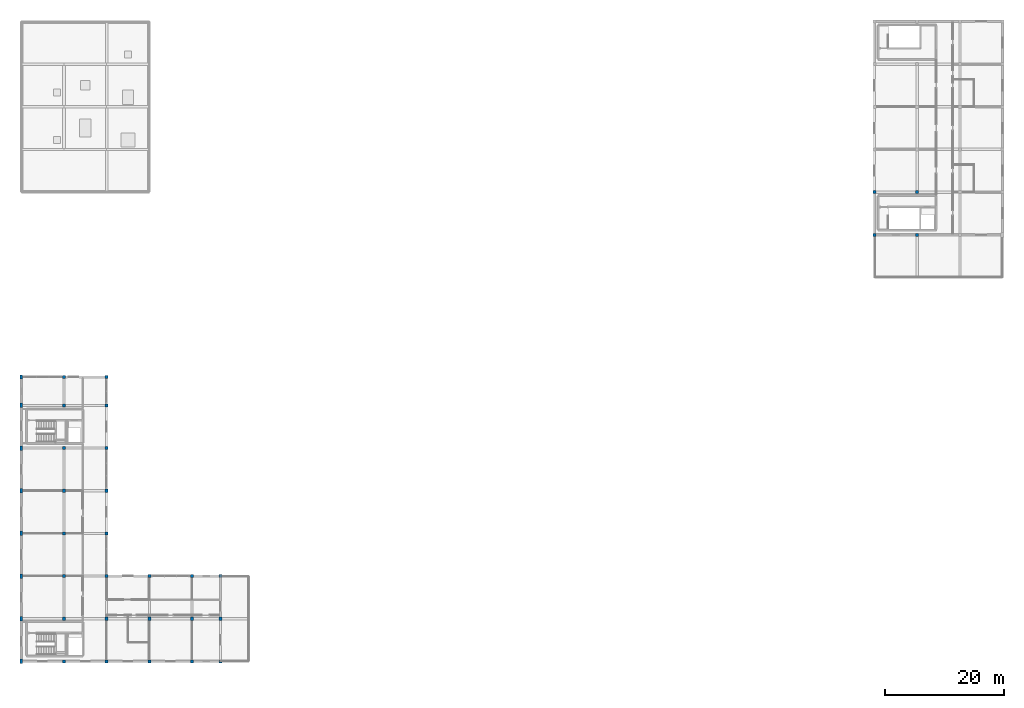
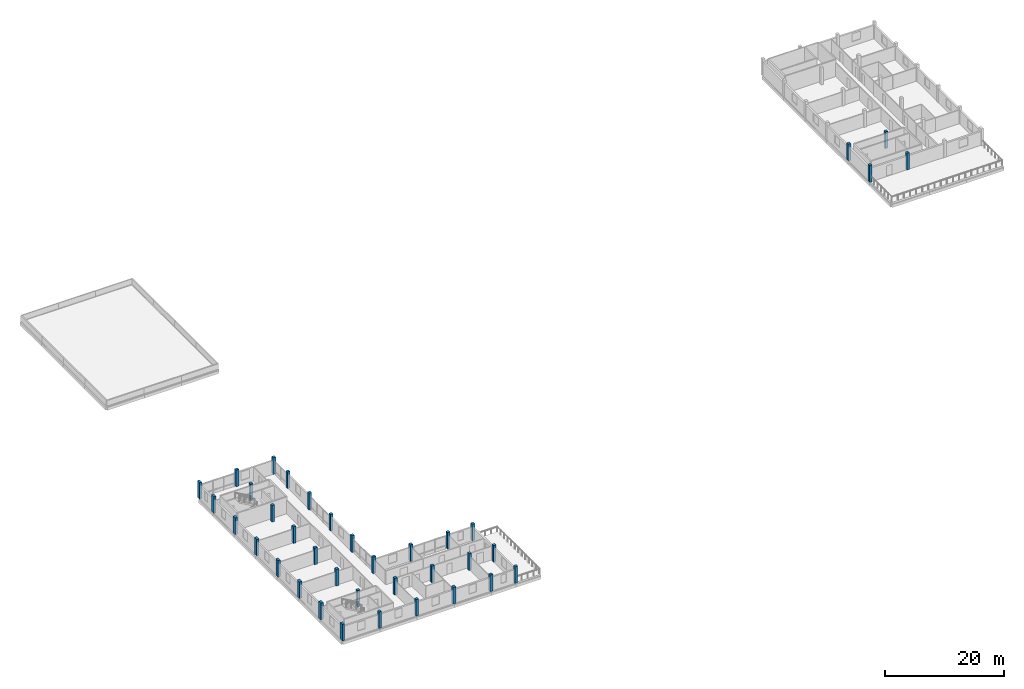
# One storey, part 1 of 26: 37 columns.
"""IFC4 building model written with IfcOpenShell, lengths in metres."""

from ifc_helpers import new_model, si_unit, direction, frame, origin, origin_2d, place, context, subcontext, project, spatial, rectangle, extrude, material, material_profile, profile_set, type_object, element, save


model = new_model("IFC4")

# Units and contexts
model_context = context("Model", 3, precision=1e-05, world=origin(), true_north=direction((0.0, 1.0)))
body_context = subcontext(model_context, "Body", "Model", "MODEL_VIEW")
ifc_project = project(units=[si_unit("LENGTHUNIT", "METRE"), si_unit("AREAUNIT", "SQUARE_METRE"), si_unit("VOLUMEUNIT", "CUBIC_METRE"), si_unit("PLANEANGLEUNIT", "RADIAN"), si_unit("MASSUNIT", "GRAM", prefix="KILO")], contexts=[model_context])

# Site, building, storey
site_placement = place(None, origin())
site = spatial("IfcSite", under=ifc_project, at=site_placement, CompositionType="ELEMENT")
building_placement = place(site_placement, origin())
building = spatial("IfcBuilding", under=site, at=building_placement, Name="Zornivar Specialist Clinic", CompositionType="ELEMENT")
storey_placement = place(building_placement, frame((0.0, 0.0, 19.699951171875)))
storey = spatial("IfcBuildingStorey", under=building, at=storey_placement, Name="L05", CompositionType="ELEMENT", Elevation=19.699951171875)

# Columns
ifc_material_1 = material(Name="Concrete C35/45", Category="concrete")
ifc_material_profile_1 = material_profile(ifc_material_1, rectangle(XDim=0.449951171875, YDim=0.75, at=origin_2d()), Name="RC 450x750")
ifc_profile_set_1 = profile_set([ifc_material_profile_1], Name="Concrete C35/45")
column_type_1 = type_object("IfcColumnType", Name="COL-RC-450x750", PredefinedType="PILASTER", material=ifc_profile_set_1)
for number, where, z_axis, x_axis, name in (
    (1, (0.0, 0.0, 0.0), (0.0, 0.0, 1.0), (1.0, 0.0, 0.0), "col:V2:L05:0_0"),
    (2, (0.0, 7.199951171875, 0.0), (0.0, 0.0, 1.0), (1.0, 0.0, 0.0), "col:V2:L05:0_72"),
    (3, (0.0, 14.39990234375, 0.0), (0.0, 0.0, 1.0), (1.0, 0.0, 0.0), "col:V2:L05:0_144"),
    (4, (0.0, 21.60009765625, 0.0), (0.0, 0.0, 1.0), (1.0, 0.0, 0.0), "col:V2:L05:0_216"),
    (5, (0.0, 28.800048828125, 0.0), (0.0, 0.0, 1.0), (1.0, 0.0, 0.0), "col:V2:L05:0_288"),
    (6, (0.0, 36.0, 0.0), (0.0, 0.0, 1.0), (1.0, 0.0, 0.0), "col:V2:L05:0_360"),
    (7, (0.0, 43.199951171875, 0.0), (0.0, 0.0, 1.0), (1.0, 0.0, 0.0), "col:V2:L05:0_432"),
    (8, (0.0, 48.0, 0.0), (0.0, 0.0, 1.0), (1.0, 0.0, 0.0), "col:V2:L05:0_480"),
):
    element("IfcColumn", number, at=place(storey_placement, frame(where, z_axis=z_axis, x_axis=x_axis)), inside=storey, type_object=column_type_1, Name=name, PredefinedType="PILASTER", context=body_context, shape_type="SweptSolid", body=[
        extrude(rectangle(XDim=0.449951171875, YDim=0.75, at=origin_2d()), origin(), (0.0, 0.0, 1.0), 3.420166015625),
    ])
ifc_material_2 = material(Name="Concrete C35/45", Category="concrete")
ifc_material_profile_2 = material_profile(ifc_material_2, rectangle(XDim=0.5, YDim=0.5, at=origin_2d()), Name="RC 500x500")
ifc_profile_set_2 = profile_set([ifc_material_profile_2], Name="Concrete C35/45")
column_type_2 = type_object("IfcColumnType", Name="COL-RC-500", PredefinedType="COLUMN", material=ifc_profile_set_2)
for number, where, z_axis, x_axis, name in (
    (9, (144.0, 72.0, 0.0), (0.0, 0.0, 1.0), (1.0, 0.0, 0.0), "col:V6:L05:1440_720"),
    (10, (144.0, 79.199951171875, 0.0), (0.0, 0.0, 1.0), (1.0, 0.0, 0.0), "col:V6:L05:1440_792"),
    (11, (151.199951171875, 72.0, 0.0), (0.0, 0.0, 1.0), (1.0, 0.0, 0.0), "col:V6:L05:1512_720"),
    (12, (151.199951171875, 79.199951171875, 0.0), (0.0, 0.0, 1.0), (1.0, 0.0, 0.0), "col:V6:L05:1512_792"),
):
    element("IfcColumn", number, at=place(storey_placement, frame(where, z_axis=z_axis, x_axis=x_axis)), inside=storey, type_object=column_type_2, Name=name, PredefinedType="COLUMN", context=body_context, shape_type="SweptSolid", body=[
        extrude(rectangle(XDim=0.5, YDim=0.5, at=origin_2d()), origin(), (0.0, 0.0, 1.0), 3.4599609375),
    ])
ifc_material_3 = material(Name="Concrete C35/45", Category="concrete")
ifc_material_profile_3 = material_profile(ifc_material_3, rectangle(XDim=0.52001953125, YDim=0.52001953125, at=origin_2d()), Name="RC 520x520")
ifc_profile_set_3 = profile_set([ifc_material_profile_3], Name="Concrete C35/45")
column_type_3 = type_object("IfcColumnType", Name="COL-RC-520", PredefinedType="COLUMN", material=ifc_profile_set_3)
for number, where, z_axis, x_axis, name in (
    (13, (7.199951171875, 0.0, 0.0), (0.0, 0.0, 1.0), (1.0, 0.0, 0.0), "col:V2:L05:72_0"),
    (14, (7.199951171875, 7.199951171875, 0.0), (0.0, 0.0, 1.0), (1.0, 0.0, 0.0), "col:V2:L05:72_72"),
    (15, (7.199951171875, 14.39990234375, 0.0), (0.0, 0.0, 1.0), (1.0, 0.0, 0.0), "col:V2:L05:72_144"),
    (16, (7.199951171875, 21.60009765625, 0.0), (0.0, 0.0, 1.0), (1.0, 0.0, 0.0), "col:V2:L05:72_216"),
    (17, (7.199951171875, 28.800048828125, 0.0), (0.0, 0.0, 1.0), (1.0, 0.0, 0.0), "col:V2:L05:72_288"),
    (18, (7.199951171875, 36.0, 0.0), (0.0, 0.0, 1.0), (1.0, 0.0, 0.0), "col:V2:L05:72_360"),
    (19, (7.199951171875, 43.199951171875, 0.0), (0.0, 0.0, 1.0), (1.0, 0.0, 0.0), "col:V2:L05:72_432"),
    (20, (7.199951171875, 48.0, 0.0), (0.0, 0.0, 1.0), (1.0, 0.0, 0.0), "col:V2:L05:72_480"),
    (21, (14.39990234375, 0.0, 0.0), (0.0, 0.0, 1.0), (1.0, 0.0, 0.0), "col:V2:L05:144_0"),
    (22, (14.39990234375, 7.199951171875, 0.0), (0.0, 0.0, 1.0), (1.0, 0.0, 0.0), "col:V2:L05:144_72"),
    (23, (14.39990234375, 14.39990234375, 0.0), (0.0, 0.0, 1.0), (1.0, 0.0, 0.0), "col:V2:L05:144_144"),
    (24, (14.39990234375, 21.60009765625, 0.0), (0.0, 0.0, 1.0), (1.0, 0.0, 0.0), "col:V2:L05:144_216"),
    (25, (14.39990234375, 28.800048828125, 0.0), (0.0, 0.0, 1.0), (1.0, 0.0, 0.0), "col:V2:L05:144_288"),
    (26, (14.39990234375, 36.0, 0.0), (0.0, 0.0, 1.0), (1.0, 0.0, 0.0), "col:V2:L05:144_360"),
    (27, (14.39990234375, 43.199951171875, 0.0), (0.0, 0.0, 1.0), (1.0, 0.0, 0.0), "col:V2:L05:144_432"),
    (28, (14.39990234375, 48.0, 0.0), (0.0, 0.0, 1.0), (1.0, 0.0, 0.0), "col:V2:L05:144_480"),
    (29, (21.60009765625, 0.0, 0.0), (0.0, 0.0, 1.0), (1.0, 0.0, 0.0), "col:V2:L05:216_0"),
    (30, (21.60009765625, 7.199951171875, 0.0), (0.0, 0.0, 1.0), (1.0, 0.0, 0.0), "col:V2:L05:216_72"),
    (31, (21.60009765625, 14.39990234375, 0.0), (0.0, 0.0, 1.0), (1.0, 0.0, 0.0), "col:V2:L05:216_144"),
    (32, (28.800048828125, 0.0, 0.0), (0.0, 0.0, 1.0), (1.0, 0.0, 0.0), "col:V2:L05:288_0"),
    (33, (28.800048828125, 7.199951171875, 0.0), (0.0, 0.0, 1.0), (1.0, 0.0, 0.0), "col:V2:L05:288_72"),
    (34, (28.800048828125, 14.39990234375, 0.0), (0.0, 0.0, 1.0), (1.0, 0.0, 0.0), "col:V2:L05:288_144"),
    (35, (33.60009765625, 0.0, 0.0), (0.0, 0.0, 1.0), (1.0, 0.0, 0.0), "col:V2:L05:336_0"),
    (36, (33.60009765625, 7.199951171875, 0.0), (0.0, 0.0, 1.0), (1.0, 0.0, 0.0), "col:V2:L05:336_72"),
    (37, (33.60009765625, 14.39990234375, 0.0), (0.0, 0.0, 1.0), (1.0, 0.0, 0.0), "col:V2:L05:336_144"),
):
    element("IfcColumn", number, at=place(storey_placement, frame(where, z_axis=z_axis, x_axis=x_axis)), inside=storey, type_object=column_type_3, Name=name, PredefinedType="COLUMN", context=body_context, shape_type="SweptSolid", body=[
        extrude(rectangle(XDim=0.52001953125, YDim=0.52001953125, at=origin_2d()), origin(), (0.0, 0.0, 1.0), 3.420166015625),
    ])

save(model, "model.ifc")
